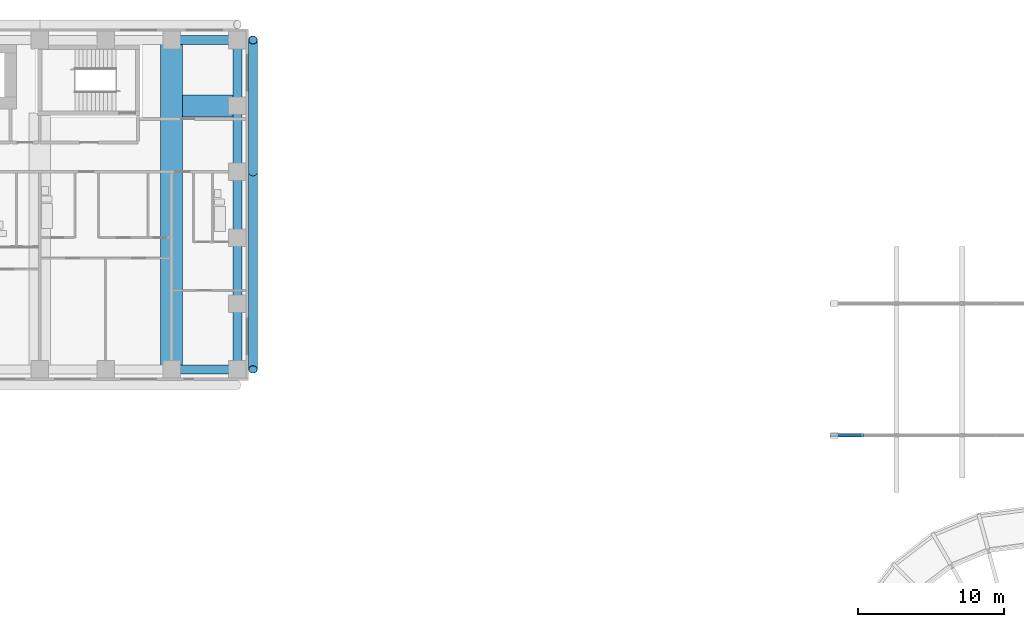
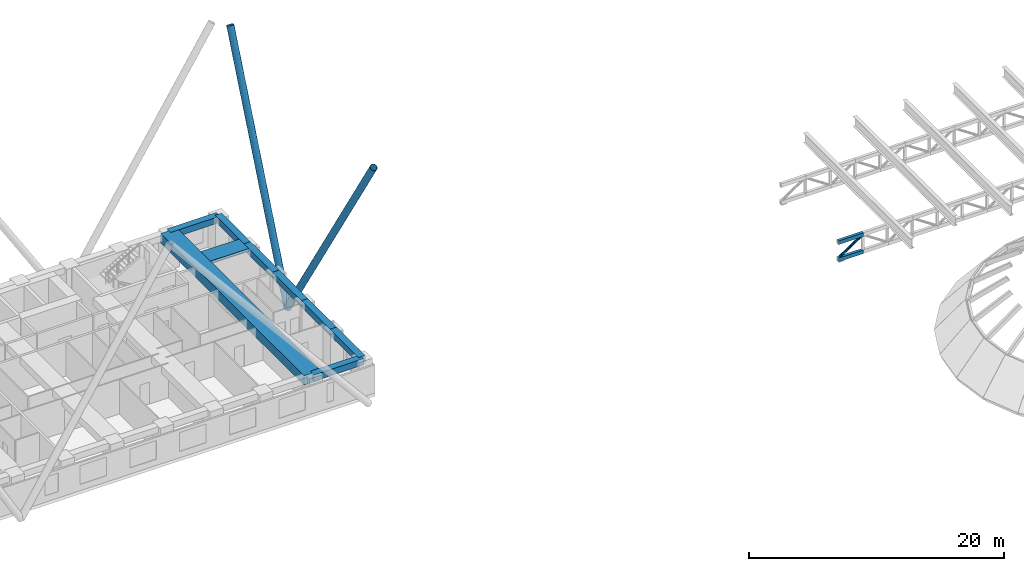
# One storey, part 3 of 20: 9 beams, 5 members.
"""IFC4 building model written with IfcOpenShell, lengths in metres."""

from ifc_helpers import new_model, si_unit, direction, frame, origin, origin_2d, place, context, subcontext, project, spatial, rectangle, hollow_rectangle, hollow_circle, extrude, material, material_profile, profile_set, type_object, element, save


model = new_model("IFC4")

# Units and contexts
model_context = context("Model", 3, precision=1e-05, world=origin(), true_north=direction((0.0, 1.0)))
body_context = subcontext(model_context, "Body", "Model", "MODEL_VIEW")
ifc_project = project(units=[si_unit("LENGTHUNIT", "METRE"), si_unit("AREAUNIT", "SQUARE_METRE"), si_unit("VOLUMEUNIT", "CUBIC_METRE"), si_unit("PLANEANGLEUNIT", "RADIAN"), si_unit("MASSUNIT", "GRAM", prefix="KILO")], contexts=[model_context])

# Site, building, storey
site_placement = place(None, origin())
site = spatial("IfcSite", under=ifc_project, at=site_placement, CompositionType="ELEMENT")
building_placement = place(site_placement, origin())
building = spatial("IfcBuilding", under=site, at=building_placement, Name="Firuza Court", CompositionType="ELEMENT")
storey_placement = place(building_placement, frame((0.0, 0.0, 29.0)))
storey = spatial("IfcBuildingStorey", under=building, at=storey_placement, Name="L05", CompositionType="ELEMENT", Elevation=29.0)

# Beams
ifc_material_1 = material(Name="Concrete C40/50", Category="concrete")
ifc_material_profile_1 = material_profile(ifc_material_1, rectangle(XDim=1.5, YDim=0.300048828125, at=origin_2d()), Name="RC 1500x300")
ifc_profile_set_1 = profile_set([ifc_material_profile_1], Name="Concrete C40/50")
beam_type_1 = type_object("IfcBeamType", Name="Band beam RC 1500x300 C40/50", PredefinedType="BEAM", material=ifc_profile_set_1)
beam_1_placement = place(storey_placement, frame((67.5, 54.0, 3.14990234375), z_axis=(-1.0, 0.0, 0.0), x_axis=(0.0, -1.0, 0.0)))
element("IfcBeam", 1, at=beam_1_placement, inside=storey, type_object=beam_type_1, Name="Band beam FB6 level L06", PredefinedType="BEAM", context=body_context, shape_type="SweptSolid", body=[
    extrude(rectangle(XDim=1.5, YDim=0.300048828125, at=origin_2d()), origin(), (0.0, 0.0, 1.0), 3.75),
])
ifc_material_2 = material(Name="Concrete C40/50", Category="concrete")
ifc_material_profile_2 = material_profile(ifc_material_2, rectangle(XDim=1.5, YDim=0.89990234375, at=origin_2d()), Name="RC 1500x900")
ifc_profile_set_2 = profile_set([ifc_material_profile_2], Name="Concrete C40/50")
beam_type_2 = type_object("IfcBeamType", Name="Band beam RC 1500x900 C40/50", PredefinedType="BEAM", material=ifc_profile_set_2)
beam_2_placement = place(storey_placement, frame((63.0, 36.0, 2.85009765625), z_axis=(0.0, 1.0, 0.0), x_axis=(-1.0, 0.0, 0.0)))
element("IfcBeam", 2, at=beam_2_placement, inside=storey, type_object=beam_type_2, Name="Band beam FB2 level L06", PredefinedType="BEAM", context=body_context, shape_type="SweptSolid", body=[
    extrude(rectangle(XDim=1.5, YDim=0.89990234375, at=origin_2d()), origin(), (0.0, 0.0, 1.0), 22.5),
])

# Members
ifc_material_3 = material(Name="Steel S355", Category="steel")
ifc_material_profile_3 = material_profile(ifc_material_3, hollow_circle(Radius=0.304931640625, WallThickness=0.02490234375, at=origin_2d()), Name="CHS 610x25")
ifc_profile_set_3 = profile_set([ifc_material_profile_3], Name="Steel S355")
member_type_1 = type_object("IfcMemberType", Name="Diagrid diagonal CHS 610x25 S355", PredefinedType="USERDEFINED", material=ifc_profile_set_3)
member_1_placement = place(storey_placement, frame((68.56005859375, 49.5, -0.550048828125), z_axis=(0.0, -0.529997216905, 0.847999380939), x_axis=(1.0, 0.0, 0.0)))
element("IfcMember", 3, at=member_1_placement, inside=storey, type_object=member_type_1, Name="Diagrid diagonal L05 to L11", ObjectType="DIAGRID", PredefinedType="USERDEFINED", context=body_context, shape_type="SweptSolid", body=[
    extrude(hollow_circle(Radius=0.304931640625, WallThickness=0.02490234375, at=origin_2d()), origin(), (0.0, 0.0, 1.0), 25.471923828125),
])
member_2_placement = place(storey_placement, frame((68.56005859375, 49.5, -0.550048828125), z_axis=(0.0, 0.38461390296, 0.923077540432), x_axis=(-1.0, 0.0, 0.0)))
element("IfcMember", 4, at=member_2_placement, inside=storey, type_object=member_type_1, Name="Diagrid diagonal L05 to L11", ObjectType="DIAGRID", PredefinedType="USERDEFINED", context=body_context, shape_type="SweptSolid", body=[
    extrude(hollow_circle(Radius=0.304931640625, WallThickness=0.02490234375, at=origin_2d()), origin(), (0.0, 0.0, 1.0), 23.400146484375),
])
ifc_material_4 = material(Name="Steel S355", Category="steel")
ifc_material_profile_4 = material_profile(ifc_material_4, hollow_rectangle(XDim=0.25, YDim=0.35009765625, WallThickness=0.01611328125, at=origin_2d()), Name="RHS 350X250X16")
ifc_profile_set_4 = profile_set([ifc_material_profile_4], Name="Steel S355")
member_type_2 = type_object("IfcMemberType", Name="STEEL BOX 350X250X16", PredefinedType="BRACE", material=ifc_profile_set_4)
for number, where, z_axis, x_axis, name in (
    (5, (108.0, 31.5, 1.175048828125), (1.0, 0.0, 0.0), (0.0, 1.0, 0.0), "Truss 1 bottom chord 1"),
    (6, (108.0, 31.5, 2.824951171875), (1.0, 0.0, 0.0), (0.0, 1.0, 0.0), "Truss 1 top chord 1"),
):
    element("IfcMember", number, at=place(storey_placement, frame(where, z_axis=z_axis, x_axis=x_axis)), inside=storey, type_object=member_type_2, Name=name, PredefinedType="CHORD", context=body_context, shape_type="SweptSolid", body=[
        extrude(hollow_rectangle(XDim=0.25, YDim=0.35009765625, WallThickness=0.01611328125, at=origin_2d()), origin(), (0.0, 0.0, 1.0), 2.25),
    ])
ifc_material_5 = material(Name="Steel S355", Category="steel")
ifc_material_profile_5 = material_profile(ifc_material_5, hollow_circle(Radius=0.109619140625, WallThickness=0.010009765625, at=origin_2d()), Name="CHS 219X10")
ifc_profile_set_5 = profile_set([ifc_material_profile_5], Name="Steel S355")
member_type_3 = type_object("IfcMemberType", Name="STEEL TUBE 219X10", PredefinedType="BRACE", material=ifc_profile_set_5)
member_3_placement = place(storey_placement, frame((108.14990234375, 31.5, 1.35009765625), z_axis=(0.832114393738, 0.0, 0.554604035086), x_axis=(0.0, 1.0, 0.0)))
element("IfcMember", 7, at=member_3_placement, inside=storey, type_object=member_type_3, Name="Truss 1 diagonal 1", PredefinedType="BRACE", context=body_context, shape_type="SweptSolid", body=[
    extrude(hollow_circle(Radius=0.109619140625, WallThickness=0.010009765625, at=origin_2d()), origin(), (0.0, 0.0, 1.0), 2.34375),
])

# Beams
ifc_material_6 = material(Name="Concrete C40/50", Category="concrete")
ifc_material_profile_6 = material_profile(ifc_material_6, rectangle(XDim=0.60009765625, YDim=0.60009765625, at=origin_2d()), Name="RC 600x600")
ifc_profile_set_6 = profile_set([ifc_material_profile_6], Name="Concrete C40/50")
beam_type_3 = type_object("IfcBeamType", Name="Spandrel beam RC 600x600 C40/50", PredefinedType="BEAM", material=ifc_profile_set_6)
for number, where, z_axis, x_axis, name in (
    (8, (63.0, 36.0, 3.0), (1.0, 0.0, 0.0), (0.0, 1.0, 0.0), "Spandrel beam SP11 level L06"),
    (9, (67.5, 36.0, 3.0), (0.0, 1.0, 0.0), (-1.0, 0.0, 0.0), "Spandrel beam SP11 level L06"),
    (10, (67.5, 40.5, 3.0), (0.0, 1.0, 0.0), (-1.0, 0.0, 0.0), "Spandrel beam SP11 level L06"),
    (11, (67.5, 45.0, 3.0), (0.0, 1.0, 0.0), (-1.0, 0.0, 0.0), "Spandrel beam SP11 level L06"),
    (12, (67.5, 49.5, 3.0), (0.0, 1.0, 0.0), (-1.0, 0.0, 0.0), "Spandrel beam SP11 level L06"),
    (13, (67.5, 54.0, 3.0), (0.0, 1.0, 0.0), (-1.0, 0.0, 0.0), "Spandrel beam SP11 level L06"),
    (14, (67.5, 58.5, 3.0), (-1.0, 0.0, 0.0), (0.0, -1.0, 0.0), "Spandrel beam SP11 level L06"),
):
    element("IfcBeam", number, at=place(storey_placement, frame(where, z_axis=z_axis, x_axis=x_axis)), inside=storey, type_object=beam_type_3, Name=name, PredefinedType="BEAM", context=body_context, shape_type="SweptSolid", body=[
        extrude(rectangle(XDim=0.60009765625, YDim=0.60009765625, at=origin_2d()), origin(), (0.0, 0.0, 1.0), 4.5),
    ])

save(model, "model.ifc")
